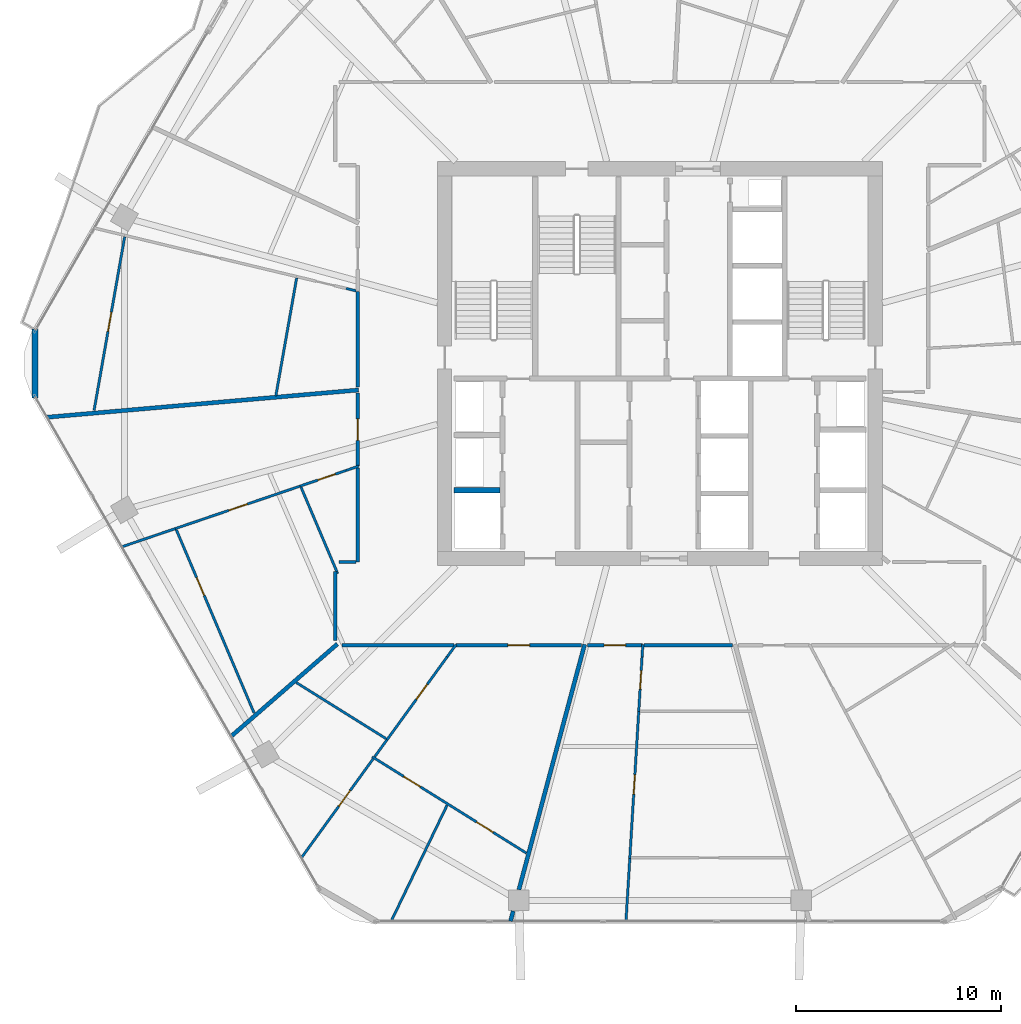
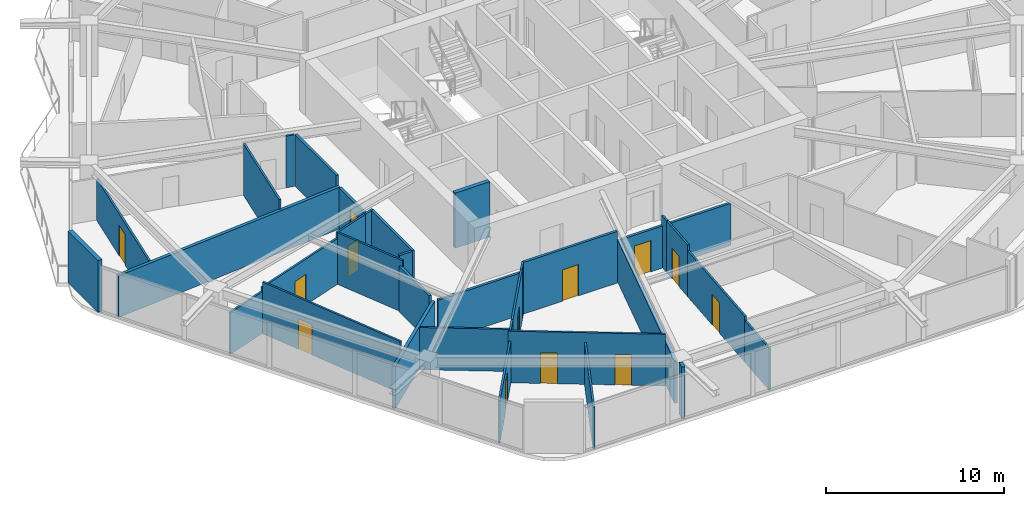
# One storey, part 17 of 26: 35 walls, 13 doors, 13 openings.
"""IFC4 building model written with IfcOpenShell, lengths in metres."""

import ifcopenshell
import ifcopenshell.guid

model = None  # the IFC model being written
_history = None  # IfcOwnerHistory: only IFC2X3 demands one
_inside = {}  # id of a spatial element -> (the spatial element, [elements in it])
_under = {}  # id of a project, library or spatial element -> (it, [spatial elements below it])
_declared = {}  # id of a project -> (the project, [libraries it declares])
_typed = {}  # id of a type object -> (the type object, [elements of that type])
_made_of = {}  # id of a material, layer set ... -> (it, [elements and type objects made of it])


def new_model(schema):
    """Start an empty IFC model of exactly this schema.

    Asked for "IFC4X3", IfcOpenShell would pick the latest addendum, in which some entities
    have other attributes; the version numbers below select the first issue.
    IFC2X3 requires an IfcOwnerHistory on every rooted entity: one is made here for all.
    """
    global model, _history
    if schema == "IFC4X3":
        model = ifcopenshell.file(schema_version=(4, 3, 0, 0))
    else:
        model = ifcopenshell.file(schema=schema)
    _inside.clear()
    _under.clear()
    _declared.clear()
    _typed.clear()
    _made_of.clear()
    _history = None
    if model.schema == "IFC2X3":
        org = make("IfcOrganization", Name="unknown")
        user = make(
            "IfcPersonAndOrganization",
            ThePerson=make("IfcPerson", FamilyName="unknown"),
            TheOrganization=org,
        )
        app = make(
            "IfcApplication",
            ApplicationDeveloper=org,
            Version="unknown",
            ApplicationFullName="unknown",
            ApplicationIdentifier="unknown",
        )
        _history = make(
            "IfcOwnerHistory",
            OwningUser=user,
            OwningApplication=app,
            ChangeAction="ADDED",
            CreationDate=0,
        )
    return model


def make(cls, **values):
    """One entity of the class cls with the attributes given. An attribute that is None is left unset."""
    return model.create_entity(
        cls, **{name: value for name, value in values.items() if value is not None}
    )


def rooted(cls, **values):
    """An entity with a GlobalId (a new one), such as an element, a storey or a relation."""
    return make(cls, GlobalId=ifcopenshell.guid.new(), OwnerHistory=_history, **values)


def si_unit(unit_type, name, prefix=None):
    """IfcSIUnit, for example si_unit("LENGTHUNIT", "METRE", prefix="MILLI")."""
    return make("IfcSIUnit", UnitType=unit_type, Prefix=prefix, Name=name)


def assignment(units):
    """IfcUnitAssignment: the units of a project."""
    return None if units is None else make("IfcUnitAssignment", Units=units)


def point(xyz):
    """IfcCartesianPoint."""
    return None if xyz is None else make("IfcCartesianPoint", Coordinates=xyz)


def direction(xyz):
    """IfcDirection."""
    return None if xyz is None else make("IfcDirection", DirectionRatios=xyz)


def frame(location, z_axis=None, x_axis=None):
    """IfcAxis2Placement3D, a coordinate frame: its origin and axes. An axis left out is left unset."""
    return make(
        "IfcAxis2Placement3D",
        Location=point(location),
        Axis=direction(z_axis),
        RefDirection=direction(x_axis),
    )


def frame_2d(location, x_axis=None):
    """IfcAxis2Placement2D, a coordinate frame in the plane: its origin and x axis."""
    return make(
        "IfcAxis2Placement2D", Location=point(location), RefDirection=direction(x_axis)
    )


def origin():
    """The frame at (0, 0, 0) with its axes left unset."""
    return frame((0.0, 0.0, 0.0))


def place(relative_to, where):
    """IfcLocalPlacement: puts the frame where relative to a parent placement (None: the world)."""
    return make(
        "IfcLocalPlacement", PlacementRelTo=relative_to, RelativePlacement=where
    )


def context(
    kind, dimensions, precision=None, world=None, true_north=None, identifier=None
):
    """IfcGeometricRepresentationContext, for example the 3D "Model" context."""
    return make(
        "IfcGeometricRepresentationContext",
        ContextIdentifier=identifier,
        ContextType=kind,
        CoordinateSpaceDimension=dimensions,
        Precision=precision,
        WorldCoordinateSystem=world,
        TrueNorth=true_north,
    )


def subcontext(parent, identifier, kind, view, scale=None):
    """IfcGeometricRepresentationSubContext, for example "Body" below "Model"."""
    return make(
        "IfcGeometricRepresentationSubContext",
        ContextIdentifier=identifier,
        ContextType=kind,
        ParentContext=parent,
        TargetScale=scale,
        TargetView=view,
    )


def project(units=None, contexts=None):
    """IfcProject with its units and contexts."""
    return rooted(
        "IfcProject",
        Name="project",
        RepresentationContexts=contexts,
        UnitsInContext=assignment(units),
    )


def spatial(cls, under=None, at=None, **own):
    """A site, building, storey or space (cls), placed at a placement, below another one or the project."""
    s = rooted(cls, ObjectPlacement=at, **own)
    if under is not None:
        _under.setdefault(under.id(), (under, []))[1].append(s)
    return s


def profile(cls, at=None, kind="AREA", **sizes):
    """A parametric profile (cls). Its sizes go by their IFC names, for example OverallWidth=200.0."""
    return make(cls, ProfileType=kind, Position=at, **sizes)


def rectangle(**sizes):
    """IfcRectangleProfileDef."""
    return profile("IfcRectangleProfileDef", **sizes)


def extrude(swept, where, along, depth):
    """IfcExtrudedAreaSolid: the profile swept, set in the frame where, extruded along a direction by depth."""
    return make(
        "IfcExtrudedAreaSolid",
        SweptArea=swept,
        Position=where,
        ExtrudedDirection=direction(along),
        Depth=depth,
    )


def shape(context_of_items, identifier, shape_type, items):
    """IfcShapeRepresentation: the items that make up one representation, for example the "Body"."""
    return make(
        "IfcShapeRepresentation",
        ContextOfItems=context_of_items,
        RepresentationIdentifier=identifier,
        RepresentationType=shape_type,
        Items=items,
    )


def material(Name=None, Category=None):
    """IfcMaterial."""
    return make("IfcMaterial", Name=Name, Category=Category)


def layer(
    of_material, thickness, ventilated=None, Name=None, Category=None, Priority=None
):
    """IfcMaterialLayer: one layer of a wall or slab, of a material (None: an air gap)."""
    return make(
        "IfcMaterialLayer",
        Material=of_material,
        LayerThickness=thickness,
        IsVentilated=ventilated,
        Name=Name,
        Category=Category,
        Priority=Priority,
    )


def layer_set(layers, Name=None):
    """IfcMaterialLayerSet."""
    return make("IfcMaterialLayerSet", MaterialLayers=layers, LayerSetName=Name)


def made_of(thing, what):
    """Note that an element or type object is made of a material, layer set ...; save() writes the relation."""
    if what is not None:
        _made_of.setdefault(what.id(), (what, []))[1].append(thing)
    return thing


def type_object(cls, material=None, **own):
    """A type object (cls), such as IfcWallType, which elements share."""
    return made_of(rooted(cls, **own), material)


def element(
    cls,
    number,
    at=None,
    inside=None,
    cuts=None,
    type_object=None,
    material=None,
    context=None,
    identifier="Body",
    shape_type=None,
    held_by="IfcProductDefinitionShape",
    body=None,
    shapes=None,
    **own,
):
    """One element of the class cls, such as IfcWall. Its Tag is "e" and its number.

    at: its placement. inside: the storey or other place that contains it. cuts: it is an
    opening in that element (IfcRelVoidsElement). A single representation is given by context,
    identifier, shape_type and body (its items); several are given by shapes. held_by: the class
    of the entity that holds the representations. save() writes the other relations.
    """
    e = rooted(cls, Tag="e%d" % number, ObjectPlacement=at, **own)
    if body is not None:
        shapes = [shape(context, identifier, shape_type, body)]
    if shapes is not None:
        e.Representation = make(held_by, Representations=shapes)
    if inside is not None:
        _inside.setdefault(inside.id(), (inside, []))[1].append(e)
    if cuts is not None:
        rooted(
            "IfcRelVoidsElement", RelatingBuildingElement=cuts, RelatedOpeningElement=e
        )
    if type_object is not None:
        _typed.setdefault(type_object.id(), (type_object, []))[1].append(e)
    return made_of(e, material)


def fill(opening, filler):
    """IfcRelFillsElement: the door or window that sits in an opening."""
    return rooted(
        "IfcRelFillsElement",
        RelatingOpeningElement=opening,
        RelatedBuildingElement=filler,
    )


def aggregate(whole, parts):
    """IfcRelAggregates: a whole, such as a stair, and the parts it consists of."""
    return rooted("IfcRelAggregates", RelatingObject=whole, RelatedObjects=parts)


def save(model, path):
    """Write the relations noted so far, then the file.

    IfcRelAggregates (storeys below a building ...), IfcRelContainedInSpatialStructure (elements
    in a storey), IfcRelDefinesByType, IfcRelAssociatesMaterial and IfcRelDeclares: one each for
    every whole, place, type object, material and project.
    """
    for whole, parts in _under.values():
        aggregate(whole, parts)
    for where, things in _inside.values():
        rooted(
            "IfcRelContainedInSpatialStructure",
            RelatedElements=things,
            RelatingStructure=where,
        )
    for kind, things in _typed.values():
        rooted("IfcRelDefinesByType", RelatedObjects=things, RelatingType=kind)
    for what, things in _made_of.values():
        rooted("IfcRelAssociatesMaterial", RelatedObjects=things, RelatingMaterial=what)
    for by, libraries in _declared.values():
        rooted("IfcRelDeclares", RelatingContext=by, RelatedDefinitions=libraries)
    model.write(path)


model = new_model("IFC4")

# Units and contexts
model_context = context("Model", 3, precision=1e-05, world=origin(), true_north=direction((0.0, 1.0)))
body_context = subcontext(model_context, "Body", "Model", "MODEL_VIEW")
ifc_project = project(units=[si_unit("LENGTHUNIT", "METRE"), si_unit("AREAUNIT", "SQUARE_METRE"), si_unit("VOLUMEUNIT", "CUBIC_METRE"), si_unit("PLANEANGLEUNIT", "RADIAN"), si_unit("MASSUNIT", "GRAM", prefix="KILO")], contexts=[model_context])

# Site, building, storey
site_placement = place(None, origin())
site = spatial("IfcSite", under=ifc_project, at=site_placement, CompositionType="ELEMENT")
building_placement = place(site_placement, origin())
building = spatial("IfcBuilding", under=site, at=building_placement, Name="Zuhravey Tower", CompositionType="ELEMENT")
storey_placement = place(building_placement, frame((0.0, 0.0, 165.60009765625)))
storey = spatial("IfcBuildingStorey", under=building, at=storey_placement, Name="L41", CompositionType="ELEMENT", Elevation=165.60009765625)

# Wall, opening, door
ifc_material_1 = material(Name="Gypsum fire-rated stud partition")
ifc_layer_1 = layer(ifc_material_1, 0.159912109375)
ifc_layer_set_1 = layer_set([ifc_layer_1], Name="Gypsum fire-rated stud partition")
wall_type_1 = type_object("IfcWallType", Name="Corridor Fire Partition 160", PredefinedType="PARTITIONING", material=ifc_layer_set_1)
wall_1_placement = place(storey_placement, frame((21.27001953125, 30.5615234375, 0.0), z_axis=(0.0, 0.0, 1.0), x_axis=(0.0, -1.0, 0.0)))
wall_1 = element("IfcWall", 1, at=wall_1_placement, inside=storey, type_object=wall_type_1, Name="L41 IW16 Partition 045", PredefinedType="PARTITIONING", context=body_context, shape_type="SweptSolid", body=[
    extrude(rectangle(XDim=3.554931640625, YDim=0.159912109375, at=frame_2d((1.77734375, 0.0))), origin(), (0.0, 0.0, 1.0), 2.89990234375),
])
opening_1_placement = place(wall_1_placement, frame((1.25244140625, 0.0, 0.0)))
opening_1 = element("IfcOpeningElement", 2, at=opening_1_placement, cuts=wall_1, Name="Opening APD1", PredefinedType="OPENING", context=body_context, shape_type="SweptSolid", body=[
    extrude(rectangle(XDim=1.050048828125, YDim=2.14990234375, at=frame_2d((0.52490234375, 1.074951171875))), frame((0.0, 0.092041015625, 0.0), z_axis=(0.0, -1.0, 0.0), x_axis=(1.0, 0.0, 0.0)), (0.0, 0.0, 1.0), 0.183837890625),
])
ifc_material_2 = material(Name="Solid-core oak fire-rated leaf")
door_type_1 = type_object("IfcDoorType", Name="Apartment Entrance Fire Door 1050x2150", OperationType="NOTDEFINED", PredefinedType="DOOR", material=ifc_material_2)
door_1_placement = place(opening_1_placement, frame((1.050048828125, 0.0, 0.0), z_axis=(0.0, 0.0, 1.0), x_axis=(-1.0, 0.0, 0.0)))
door_1 = element("IfcDoor", 3, at=door_1_placement, inside=storey, type_object=door_type_1, Name="L41 Door 045.1", OperationType="SINGLE_SWING_RIGHT", OverallHeight=2.14990234375, OverallWidth=1.050048828125, PredefinedType="DOOR", context=body_context, shape_type="SweptSolid", body=[
    extrude(rectangle(XDim=1.050048828125, YDim=2.14990234375, at=frame_2d((0.52490234375, 1.074951171875))), frame((0.0, 0.02490234375, 0.0), z_axis=(0.0, -1.0, 0.0), x_axis=(1.0, 0.0, 0.0)), (0.0, 0.0, 1.0), 0.050048828125),
])
fill(opening_1, door_1)

wall_2_placement = place(storey_placement, frame((26.06396484375, 18.27001953125, 0.0), z_axis=(0.0, 0.0, 1.0), x_axis=(1.0, 0.0, 0.0)))
wall_2 = element("IfcWall", 4, at=wall_2_placement, inside=storey, type_object=wall_type_1, Name="L41 IW16 Partition 050", PredefinedType="PARTITIONING", context=body_context, shape_type="SweptSolid", body=[
    extrude(rectangle(XDim=6.107666015625, YDim=0.159912109375, at=frame_2d((3.0537109375, 0.0))), origin(), (0.0, 0.0, 1.0), 3.5498046875),
])
opening_2_placement = place(wall_2_placement, frame((2.52880859375, 0.0, 0.0)))
opening_2 = element("IfcOpeningElement", 5, at=opening_2_placement, cuts=wall_2, Name="Opening APD1", PredefinedType="OPENING", context=body_context, shape_type="SweptSolid", body=[
    extrude(rectangle(XDim=1.050048828125, YDim=2.14990234375, at=frame_2d((0.52490234375, 1.074951171875))), frame((0.0, 0.092041015625, 0.0), z_axis=(0.0, -1.0, 0.0), x_axis=(1.0, 0.0, 0.0)), (0.0, 0.0, 1.0), 0.183837890625),
])
door_2_placement = place(opening_2_placement, frame((1.050048828125, 0.0, 0.0), z_axis=(0.0, 0.0, 1.0), x_axis=(-1.0, 0.0, 0.0)))
door_2 = element("IfcDoor", 6, at=door_2_placement, inside=storey, type_object=door_type_1, Name="L41 Door 050.1", OperationType="SINGLE_SWING_LEFT", OverallHeight=2.14990234375, OverallWidth=1.050048828125, PredefinedType="DOOR", context=body_context, shape_type="SweptSolid", body=[
    extrude(rectangle(XDim=1.050048828125, YDim=2.14990234375, at=frame_2d((0.52490234375, 1.074951171875))), frame((0.0, 0.02490234375, 0.0), z_axis=(0.0, -1.0, 0.0), x_axis=(1.0, 0.0, 0.0)), (0.0, 0.0, 1.0), 0.050048828125),
])
fill(opening_2, door_2)

wall_3_placement = place(storey_placement, frame((32.4697265625, 18.27001953125, 0.0), z_axis=(0.0, 0.0, 1.0), x_axis=(1.0, 0.0, 0.0)))
wall_3 = element("IfcWall", 7, at=wall_3_placement, inside=storey, type_object=wall_type_1, Name="L41 IW16 Partition 054", PredefinedType="PARTITIONING", context=body_context, shape_type="SweptSolid", body=[
    extrude(rectangle(XDim=2.67529296875, YDim=0.159912109375, at=frame_2d((1.337646484375, 0.0))), origin(), (0.0, 0.0, 1.0), 2.89990234375),
])
opening_3_placement = place(wall_3_placement, frame((0.8125, 0.0, 0.0)))
opening_3 = element("IfcOpeningElement", 8, at=opening_3_placement, cuts=wall_3, Name="Opening APD1", PredefinedType="OPENING", context=body_context, shape_type="SweptSolid", body=[
    extrude(rectangle(XDim=1.050048828125, YDim=2.14990234375, at=frame_2d((0.52490234375, 1.074951171875))), frame((0.0, 0.092041015625, 0.0), z_axis=(0.0, -1.0, 0.0), x_axis=(1.0, 0.0, 0.0)), (0.0, 0.0, 1.0), 0.183837890625),
])
door_3_placement = place(opening_3_placement, frame((1.050048828125, 0.0, 0.0), z_axis=(0.0, 0.0, 1.0), x_axis=(-1.0, 0.0, 0.0)))
door_3 = element("IfcDoor", 9, at=door_3_placement, inside=storey, type_object=door_type_1, Name="L41 Door 054.1", OperationType="SINGLE_SWING_LEFT", OverallHeight=2.14990234375, OverallWidth=1.050048828125, PredefinedType="DOOR", context=body_context, shape_type="SweptSolid", body=[
    extrude(rectangle(XDim=1.050048828125, YDim=2.14990234375, at=frame_2d((0.52490234375, 1.074951171875))), frame((0.0, 0.02490234375, 0.0), z_axis=(0.0, -1.0, 0.0), x_axis=(1.0, 0.0, 0.0)), (0.0, 0.0, 1.0), 0.050048828125),
])
fill(opening_3, door_3)

# Walls
wall_4_placement = place(storey_placement, frame((21.27001953125, 35.510498046875, 0.0), z_axis=(0.0, 0.0, 1.0), x_axis=(0.0, -1.0, 0.0)))
element("IfcWall", 10, at=wall_4_placement, inside=storey, type_object=wall_type_1, Name="L41 IW16 Partition 133", PredefinedType="PARTITIONING", context=body_context, shape_type="SweptSolid", body=[
    extrude(rectangle(XDim=4.649658203125, YDim=0.159912109375, at=frame_2d((2.32470703125, 0.0))), origin(), (0.0, 0.0, 1.0), 3.5498046875),
])
wall_5_placement = place(storey_placement, frame((21.27001953125, 26.913818359375, 0.0), z_axis=(0.0, 0.0, 1.0), x_axis=(0.0, -1.0, 0.0)))
element("IfcWall", 11, at=wall_5_placement, inside=storey, type_object=wall_type_1, Name="L41 IW16 Partition 134", PredefinedType="PARTITIONING", context=body_context, shape_type="SweptSolid", body=[
    extrude(rectangle(XDim=4.583740234375, YDim=0.159912109375, at=frame_2d((2.2919921875, 0.0))), origin(), (0.0, 0.0, 1.0), 3.5498046875),
])
wall_6_placement = place(storey_placement, frame((21.181884765625, 22.330078125, 0.0), z_axis=(0.0, 0.0, 1.0), x_axis=(-1.0, 0.0, 0.0)))
element("IfcWall", 12, at=wall_6_placement, inside=storey, type_object=wall_type_1, Name="L41 IW16 Partition 135", PredefinedType="PARTITIONING", context=body_context, shape_type="SweptSolid", body=[
    extrude(rectangle(XDim=0.831787109375, YDim=0.159912109375, at=frame_2d((0.416015625, 0.0))), origin(), (0.0, 0.0, 1.0), 3.5498046875),
])
wall_7_placement = place(storey_placement, frame((20.169921875, 21.87060546875, 0.0), z_axis=(0.0, 0.0, 1.0), x_axis=(0.0, -1.0, 0.0)))
element("IfcWall", 13, at=wall_7_placement, inside=storey, type_object=wall_type_1, Name="L41 IW16 Partition 136", PredefinedType="PARTITIONING", context=body_context, shape_type="SweptSolid", body=[
    extrude(rectangle(XDim=3.364501953125, YDim=0.159912109375, at=frame_2d((1.68212890625, 0.0))), origin(), (0.0, 0.0, 1.0), 3.14990234375),
])
wall_8_placement = place(storey_placement, frame((20.51123046875, 18.27001953125, 0.0), z_axis=(0.0, 0.0, 1.0), x_axis=(1.0, 0.0, 0.0)))
element("IfcWall", 14, at=wall_8_placement, inside=storey, type_object=wall_type_1, Name="L41 IW16 Partition 137", PredefinedType="PARTITIONING", context=body_context, shape_type="SweptSolid", body=[
    extrude(rectangle(XDim=5.44384765625, YDim=0.159912109375, at=frame_2d((2.721923828125, 0.0))), origin(), (0.0, 0.0, 1.0), 2.89990234375),
])
wall_9_placement = place(storey_placement, frame((35.233154296875, 18.27001953125, 0.0), z_axis=(0.0, 0.0, 1.0), x_axis=(1.0, 0.0, 0.0)))
element("IfcWall", 15, at=wall_9_placement, inside=storey, type_object=wall_type_1, Name="L41 IW16 Partition 138", PredefinedType="PARTITIONING", context=body_context, shape_type="SweptSolid", body=[
    extrude(rectangle(XDim=4.297119140625, YDim=0.159912109375, at=frame_2d((2.1484375, 0.0))), origin(), (0.0, 0.0, 1.0), 2.89990234375),
])
ifc_material_3 = material(Name="Precast concrete C40/50", Category="concrete")
ifc_layer_2 = layer(ifc_material_3, 0.280029296875)
ifc_layer_set_2 = layer_set([ifc_layer_2], Name="Precast concrete C40/50")
wall_type_2 = type_object("IfcWallType", Name="Crown Architectural Wall 280", PredefinedType="SOLIDWALL", material=ifc_layer_set_2)
wall_10_placement = place(storey_placement, frame((5.5283203125, 30.3173828125, 0.0), z_axis=(0.0, 0.0, 1.0), x_axis=(0.0, 1.0, 0.0)))
element("IfcWall", 16, at=wall_10_placement, inside=storey, type_object=wall_type_2, Name="L41 Rounded Corner Closure Wall EW28-06", PredefinedType="SOLIDWALL", context=body_context, shape_type="SweptSolid", body=[
    extrude(rectangle(XDim=3.365234375, YDim=0.280029296875, at=frame_2d((1.6826171875, 0.0))), origin(), (0.0, 0.0, 1.0), 3.5498046875),
])
ifc_material_4 = material(Name="Concrete C50/60", Category="concrete")
ifc_layer_3 = layer(ifc_material_4, 0.25)
ifc_layer_set_3 = layer_set([ifc_layer_3], Name="Concrete C50/60")
wall_type_3 = type_object("IfcWallType", Name="Firefighting Shaft & Stair Wall 250", PredefinedType="SOLIDWALL", material=ifc_layer_set_3)
wall_11_placement = place(storey_placement, frame((25.949951171875, 25.824951171875, 0.0), z_axis=(0.0, 0.0, 1.0), x_axis=(1.0, 0.0, 0.0)))
element("IfcWall", 17, at=wall_11_placement, inside=storey, type_object=wall_type_3, Name="L41 FW25 Shaft Wall 009", PredefinedType="SOLIDWALL", context=body_context, shape_type="SweptSolid", body=[
    extrude(rectangle(XDim=2.25, YDim=0.25, at=frame_2d((1.125, 0.0))), origin(), (0.0, 0.0, 1.0), 3.7998046875),
])
ifc_material_5 = material(Name="Gypsum double-stud party assembly")
ifc_layer_4 = layer(ifc_material_5, 0.199951171875)
ifc_layer_set_4 = layer_set([ifc_layer_4], Name="Gypsum double-stud party assembly")
wall_type_4 = type_object("IfcWallType", Name="Inter-Tenancy Party Wall 200", PredefinedType="PARTITIONING", material=ifc_layer_set_4)
wall_12_placement = place(storey_placement, frame((21.31005859375, 30.71484375, 0.0), z_axis=(0.0, 0.0, 1.0), x_axis=(-0.996194847126, -0.087154039266, 0.0)))
element("IfcWall", 18, at=wall_12_placement, inside=storey, type_object=wall_type_4, Name="L41 IW20 Partition 096", PredefinedType="PARTITIONING", context=body_context, shape_type="SweptSolid", body=[
    extrude(rectangle(XDim=15.247314453125, YDim=0.199951171875, at=frame_2d((7.62353515625, 0.0))), origin(), (0.0, 0.0, 1.0), 2.869873046875),
])
wall_13_placement = place(storey_placement, frame((20.27587890625, 18.331298828125, 0.0), z_axis=(0.0, 0.0, 1.0), x_axis=(-0.754712052901, -0.656056184489, 0.0)))
element("IfcWall", 19, at=wall_13_placement, inside=storey, type_object=wall_type_4, Name="L41 IW20 Partition 100", PredefinedType="PARTITIONING", context=body_context, shape_type="SweptSolid", body=[
    extrude(rectangle(XDim=6.857421875, YDim=0.199951171875, at=frame_2d((3.4287109375, 0.0))), origin(), (0.0, 0.0, 1.0), 2.869873046875),
])
wall_14_placement = place(storey_placement, frame((32.331787109375, 18.31005859375, 0.0), z_axis=(0.0, 0.0, 1.0), x_axis=(-0.258823121138, -0.96592473411, 0.0)))
element("IfcWall", 20, at=wall_14_placement, inside=storey, type_object=wall_type_4, Name="L41 IW20 Partition 104", PredefinedType="PARTITIONING", context=body_context, shape_type="SweptSolid", body=[
    extrude(rectangle(XDim=12.38525390625, YDim=0.199951171875, at=frame_2d((6.192626953125, 0.0))), origin(), (0.0, 0.0, 1.0), 2.89990234375),
])
wall_15_placement = place(storey_placement, frame((28.84765625, 5.306884765625, 0.0), z_axis=(0.0, 0.0, 1.0), x_axis=(-0.258920510492, -0.965898633008, 0.0)))
element("IfcWall", 21, at=wall_15_placement, inside=storey, type_object=wall_type_4, Name="L41 IW20 Partition 105", PredefinedType="PARTITIONING", context=body_context, shape_type="SweptSolid", body=[
    extrude(rectangle(XDim=0.50732421875, YDim=0.199951171875, at=frame_2d((0.253662109375, 0.0))), origin(), (0.0, 0.0, 1.0), 3.5498046875),
])

# Wall, opening, door
ifc_material_6 = material(Name="Gypsum metal-stud partition")
ifc_layer_5 = layer(ifc_material_6, 0.1201171875)
ifc_layer_set_5 = layer_set([ifc_layer_5], Name="Gypsum metal-stud partition")
wall_type_5 = type_object("IfcWallType", Name="Unit Internal Partition 120", PredefinedType="PARTITIONING", material=ifc_layer_set_5)
wall_16_placement = place(storey_placement, frame((9.903564453125, 38.185791015625, 0.0), z_axis=(0.0, 0.0, 1.0), x_axis=(-0.173644236595, -0.984808447921, 0.0)))
wall_16 = element("IfcWall", 22, at=wall_16_placement, inside=storey, type_object=wall_type_5, Name="L41 IW12 Partition 040", PredefinedType="PARTITIONING", context=body_context, shape_type="SweptSolid", body=[
    extrude(rectangle(XDim=8.587646484375, YDim=0.1201171875, at=frame_2d((4.2939453125, 0.0))), origin(), (0.0, 0.0, 1.0), 2.869873046875),
])
opening_4_placement = place(wall_16_placement, frame((3.734619140625, 0.0, 0.0)))
opening_4 = element("IfcOpeningElement", 23, at=opening_4_placement, cuts=wall_16, Name="Opening IND1", PredefinedType="OPENING", context=body_context, shape_type="SweptSolid", body=[
    extrude(rectangle(XDim=0.949951171875, YDim=2.10009765625, at=frame_2d((0.47509765625, 1.050048828125))), frame((0.0, 0.072021484375, 0.0), z_axis=(0.0, -1.0, 0.0), x_axis=(1.0, 0.0, 0.0)), (0.0, 0.0, 1.0), 0.14404296875),
])
ifc_material_7 = material(Name="Painted engineered timber leaf", Category="wood")
door_type_2 = type_object("IfcDoorType", Name="Internal Room & Bedroom Door 950x2100", OperationType="NOTDEFINED", PredefinedType="DOOR", material=ifc_material_7)
door_4_placement = place(opening_4_placement, frame((0.949951171875, 0.0, 0.0), z_axis=(0.0, 0.0, 1.0), x_axis=(-1.0, 0.0, 0.0)))
door_4 = element("IfcDoor", 24, at=door_4_placement, inside=storey, type_object=door_type_2, Name="Apartment L41-05 Kitchen Door", OperationType="SINGLE_SWING_LEFT", OverallHeight=2.10009765625, OverallWidth=0.949951171875, PredefinedType="DOOR", context=body_context, shape_type="SweptSolid", body=[
    extrude(rectangle(XDim=0.949951171875, YDim=2.10009765625, at=frame_2d((0.47509765625, 1.050048828125))), frame((0.0, 0.02490234375, 0.0), z_axis=(0.0, -1.0, 0.0), x_axis=(1.0, 0.0, 0.0)), (0.0, 0.0, 1.0), 0.050048828125),
])
fill(opening_4, door_4)

wall_17_placement = place(storey_placement, frame((20.699951171875, 26.79150390625, 0.0), z_axis=(0.0, 0.0, 1.0), x_axis=(-0.946637890064, -0.322299092608, 0.0)))
wall_17 = element("IfcWall", 25, at=wall_17_placement, inside=storey, type_object=wall_type_5, Name="L41 IW12 Partition 042", PredefinedType="PARTITIONING", context=body_context, shape_type="SweptSolid", body=[
    extrude(rectangle(XDim=2.3740234375, YDim=0.1201171875, at=frame_2d((1.18701171875, 0.0))), origin(), (0.0, 0.0, 1.0), 3.5498046875),
])
opening_5_placement = place(wall_17_placement, frame((0.547119140625, 0.0, 0.0)))
opening_5 = element("IfcOpeningElement", 26, at=opening_5_placement, cuts=wall_17, Name="Opening WCD1", PredefinedType="OPENING", context=body_context, shape_type="SweptSolid", body=[
    extrude(rectangle(XDim=0.89990234375, YDim=2.10009765625, at=frame_2d((0.449951171875, 1.050048828125))), frame((0.0, 0.072021484375, 0.0), z_axis=(0.0, -1.0, 0.0), x_axis=(1.0, 0.0, 0.0)), (0.0, 0.0, 1.0), 0.14404296875),
])
ifc_material_8 = material(Name="Moisture-resistant timber leaf", Category="wood")
door_type_3 = type_object("IfcDoorType", Name="Bathroom & WC Internal Door 900x2100", OperationType="NOTDEFINED", PredefinedType="DOOR", material=ifc_material_8)
door_5_placement = place(opening_5_placement, origin())
door_5 = element("IfcDoor", 27, at=door_5_placement, inside=storey, type_object=door_type_3, Name="Apartment L41-06 Bathroom Door", OperationType="SINGLE_SWING_LEFT", OverallHeight=2.10009765625, OverallWidth=0.89990234375, PredefinedType="DOOR", context=body_context, shape_type="SweptSolid", body=[
    extrude(rectangle(XDim=0.89990234375, YDim=2.10009765625, at=frame_2d((0.449951171875, 1.050048828125))), frame((0.0, 0.02490234375, 0.0), z_axis=(0.0, -1.0, 0.0), x_axis=(1.0, 0.0, 0.0)), (0.0, 0.0, 1.0), 0.050048828125),
])
fill(opening_5, door_5)

wall_18_placement = place(storey_placement, frame((18.45263671875, 26.026611328125, 0.0), z_axis=(0.0, 0.0, 1.0), x_axis=(-0.946642506906, -0.322285531973, 0.0)))
wall_18 = element("IfcWall", 28, at=wall_18_placement, inside=storey, type_object=wall_type_5, Name="L41 IW12 Partition 043", PredefinedType="PARTITIONING", context=body_context, shape_type="SweptSolid", body=[
    extrude(rectangle(XDim=6.42529296875, YDim=0.1201171875, at=frame_2d((3.212646484375, 0.0))), origin(), (0.0, 0.0, 1.0), 3.14990234375),
])
opening_6_placement = place(wall_18_placement, frame((2.712646484375, 0.0, 0.0)))
opening_6 = element("IfcOpeningElement", 29, at=opening_6_placement, cuts=wall_18, Name="Opening IND1", PredefinedType="OPENING", context=body_context, shape_type="SweptSolid", body=[
    extrude(rectangle(XDim=0.949951171875, YDim=2.10009765625, at=frame_2d((0.47509765625, 1.050048828125))), frame((0.0, 0.072021484375, 0.0), z_axis=(0.0, -1.0, 0.0), x_axis=(1.0, 0.0, 0.0)), (0.0, 0.0, 1.0), 0.14404296875),
])
door_6_placement = place(opening_6_placement, origin())
door_6 = element("IfcDoor", 30, at=door_6_placement, inside=storey, type_object=door_type_2, Name="Apartment L41-06 Home Office Door", OperationType="SINGLE_SWING_RIGHT", OverallHeight=2.10009765625, OverallWidth=0.949951171875, PredefinedType="DOOR", context=body_context, shape_type="SweptSolid", body=[
    extrude(rectangle(XDim=0.949951171875, YDim=2.10009765625, at=frame_2d((0.47509765625, 1.050048828125))), frame((0.0, 0.02490234375, 0.0), z_axis=(0.0, -1.0, 0.0), x_axis=(1.0, 0.0, 0.0)), (0.0, 0.0, 1.0), 0.050048828125),
])
fill(opening_6, door_6)

wall_19_placement = place(storey_placement, frame((12.42041015625, 23.90087890625, 0.0), z_axis=(0.0, 0.0, 1.0), x_axis=(0.390728803852, -0.920505840199, 0.0)))
wall_19 = element("IfcWall", 31, at=wall_19_placement, inside=storey, type_object=wall_type_5, Name="L41 IW12 Partition 044", PredefinedType="PARTITIONING", context=body_context, shape_type="SweptSolid", body=[
    extrude(rectangle(XDim=9.704345703125, YDim=0.1201171875, at=frame_2d((4.85205078125, 0.0))), origin(), (0.0, 0.0, 1.0), 3.5498046875),
])
opening_7_placement = place(wall_19_placement, frame((2.532958984375, 0.0, 0.0)))
opening_7 = element("IfcOpeningElement", 32, at=opening_7_placement, cuts=wall_19, Name="Opening IND1", PredefinedType="OPENING", context=body_context, shape_type="SweptSolid", body=[
    extrude(rectangle(XDim=0.949951171875, YDim=2.10009765625, at=frame_2d((0.47509765625, 1.050048828125))), frame((0.0, 0.072021484375, 0.0), z_axis=(0.0, -1.0, 0.0), x_axis=(1.0, 0.0, 0.0)), (0.0, 0.0, 1.0), 0.14404296875),
])
door_7_placement = place(opening_7_placement, frame((0.949951171875, 0.0, 0.0), z_axis=(0.0, 0.0, 1.0), x_axis=(-1.0, 0.0, 0.0)))
door_7 = element("IfcDoor", 33, at=door_7_placement, inside=storey, type_object=door_type_2, Name="Apartment L41-06 Bedroom 1 Door", OperationType="SINGLE_SWING_LEFT", OverallHeight=2.10009765625, OverallWidth=0.949951171875, PredefinedType="DOOR", context=body_context, shape_type="SweptSolid", body=[
    extrude(rectangle(XDim=0.949951171875, YDim=2.10009765625, at=frame_2d((0.47509765625, 1.050048828125))), frame((0.0, 0.02490234375, 0.0), z_axis=(0.0, -1.0, 0.0), x_axis=(1.0, 0.0, 0.0)), (0.0, 0.0, 1.0), 0.050048828125),
])
fill(opening_7, door_7)

# Wall, openings, doors
wall_20_placement = place(storey_placement, frame((21.970703125, 12.83251953125, 0.0), z_axis=(0.0, 0.0, 1.0), x_axis=(0.84804473337, -0.529924645779, 0.0)))
wall_20 = element("IfcWall", 34, at=wall_20_placement, inside=storey, type_object=wall_type_5, Name="L41 IW12 Partition 046", PredefinedType="PARTITIONING", context=body_context, shape_type="SweptSolid", body=[
    extrude(rectangle(XDim=8.86181640625, YDim=0.1201171875, at=frame_2d((4.430908203125, 0.0))), origin(), (0.0, 0.0, 1.0), 3.5498046875),
])
opening_8_placement = place(wall_20_placement, frame((1.817138671875, 0.0, 0.0)))
opening_8 = element("IfcOpeningElement", 35, at=opening_8_placement, cuts=wall_20, Name="Opening IND1", PredefinedType="OPENING", context=body_context, shape_type="SweptSolid", body=[
    extrude(rectangle(XDim=0.949951171875, YDim=2.10009765625, at=frame_2d((0.47509765625, 1.050048828125))), frame((0.0, 0.072021484375, 0.0), z_axis=(0.0, -1.0, 0.0), x_axis=(1.0, 0.0, 0.0)), (0.0, 0.0, 1.0), 0.14404296875),
])
opening_9_placement = place(wall_20_placement, frame((6.00732421875, 0.0, 0.0)))
opening_9 = element("IfcOpeningElement", 36, at=opening_9_placement, cuts=wall_20, Name="Opening IND1", PredefinedType="OPENING", context=body_context, shape_type="SweptSolid", body=[
    extrude(rectangle(XDim=0.949951171875, YDim=2.10009765625, at=frame_2d((0.47509765625, 1.050048828125))), frame((0.0, 0.072021484375, 0.0), z_axis=(0.0, -1.0, 0.0), x_axis=(1.0, 0.0, 0.0)), (0.0, 0.0, 1.0), 0.14404296875),
])
door_8_placement = place(opening_8_placement, frame((0.949951171875, 0.0, 0.0), z_axis=(0.0, 0.0, 1.0), x_axis=(-1.0, 0.0, 0.0)))
door_8 = element("IfcDoor", 37, at=door_8_placement, inside=storey, type_object=door_type_2, Name="Apartment L41-07 Family Study Door", OperationType="SINGLE_SWING_LEFT", OverallHeight=2.10009765625, OverallWidth=0.949951171875, PredefinedType="DOOR", context=body_context, shape_type="SweptSolid", body=[
    extrude(rectangle(XDim=0.949951171875, YDim=2.10009765625, at=frame_2d((0.47509765625, 1.050048828125))), frame((0.0, 0.02490234375, 0.0), z_axis=(0.0, -1.0, 0.0), x_axis=(1.0, 0.0, 0.0)), (0.0, 0.0, 1.0), 0.050048828125),
])
fill(opening_8, door_8)
door_9_placement = place(opening_9_placement, frame((0.949951171875, 0.0, 0.0), z_axis=(0.0, 0.0, 1.0), x_axis=(-1.0, 0.0, 0.0)))
door_9 = element("IfcDoor", 38, at=door_9_placement, inside=storey, type_object=door_type_2, Name="Apartment L41-07 Dining Room Door", OperationType="SINGLE_SWING_RIGHT", OverallHeight=2.10009765625, OverallWidth=0.949951171875, PredefinedType="DOOR", context=body_context, shape_type="SweptSolid", body=[
    extrude(rectangle(XDim=0.949951171875, YDim=2.10009765625, at=frame_2d((0.47509765625, 1.050048828125))), frame((0.0, 0.02490234375, 0.0), z_axis=(0.0, -1.0, 0.0), x_axis=(1.0, 0.0, 0.0)), (0.0, 0.0, 1.0), 0.050048828125),
])
fill(opening_9, door_9)

# Wall, opening, door
wall_21_placement = place(storey_placement, frame((25.625732421875, 17.699951171875, 0.0), z_axis=(0.0, 0.0, 1.0), x_axis=(-0.587247080924, -0.809407725406, 0.0)))
wall_21 = element("IfcWall", 39, at=wall_21_placement, inside=storey, type_object=wall_type_5, Name="L41 IW12 Partition 047", PredefinedType="PARTITIONING", context=body_context, shape_type="SweptSolid", body=[
    extrude(rectangle(XDim=4.99462890625, YDim=0.1201171875, at=frame_2d((2.497314453125, 0.0))), origin(), (0.0, 0.0, 1.0), 3.5498046875),
])
opening_10_placement = place(wall_21_placement, frame((1.647705078125, 0.0, 0.0)))
opening_10 = element("IfcOpeningElement", 40, at=opening_10_placement, cuts=wall_21, Name="Opening WCD1", PredefinedType="OPENING", context=body_context, shape_type="SweptSolid", body=[
    extrude(rectangle(XDim=0.89990234375, YDim=2.10009765625, at=frame_2d((0.449951171875, 1.050048828125))), frame((0.0, 0.072021484375, 0.0), z_axis=(0.0, -1.0, 0.0), x_axis=(1.0, 0.0, 0.0)), (0.0, 0.0, 1.0), 0.14404296875),
])
door_10_placement = place(opening_10_placement, frame((0.89990234375, 0.0, 0.0), z_axis=(0.0, 0.0, 1.0), x_axis=(-1.0, 0.0, 0.0)))
door_10 = element("IfcDoor", 41, at=door_10_placement, inside=storey, type_object=door_type_3, Name="Apartment L41-07 Bathroom Door", OperationType="SINGLE_SWING_LEFT", OverallHeight=2.10009765625, OverallWidth=0.89990234375, PredefinedType="DOOR", context=body_context, shape_type="SweptSolid", body=[
    extrude(rectangle(XDim=0.89990234375, YDim=2.10009765625, at=frame_2d((0.449951171875, 1.050048828125))), frame((0.0, 0.02490234375, 0.0), z_axis=(0.0, -1.0, 0.0), x_axis=(1.0, 0.0, 0.0)), (0.0, 0.0, 1.0), 0.050048828125),
])
fill(opening_10, door_10)

# Wall
wall_22_placement = place(storey_placement, frame((22.692626953125, 13.6572265625, 0.0), z_axis=(0.0, 0.0, 1.0), x_axis=(-0.587243042338, -0.809410655493, 0.0)))
element("IfcWall", 42, at=wall_22_placement, inside=storey, type_object=wall_type_5, Name="L41 IW12 Partition 048", PredefinedType="PARTITIONING", context=body_context, shape_type="SweptSolid", body=[
    extrude(rectangle(XDim=1.0166015625, YDim=0.1201171875, at=frame_2d((0.50830078125, 0.0))), origin(), (0.0, 0.0, 1.0), 3.5498046875),
])

# Wall, opening, door
wall_23_placement = place(storey_placement, frame((22.015869140625, 12.72412109375, 0.0), z_axis=(0.0, 0.0, 1.0), x_axis=(-0.587215499047, -0.809430637967, 0.0)))
wall_23 = element("IfcWall", 43, at=wall_23_placement, inside=storey, type_object=wall_type_5, Name="L41 IW12 Partition 049", PredefinedType="PARTITIONING", context=body_context, shape_type="SweptSolid", body=[
    extrude(rectangle(XDim=5.95361328125, YDim=0.1201171875, at=frame_2d((2.976806640625, 0.0))), origin(), (0.0, 0.0, 1.0), 2.869873046875),
])
opening_11_placement = place(wall_23_placement, frame((1.900390625, 0.0, 0.0)))
opening_11 = element("IfcOpeningElement", 44, at=opening_11_placement, cuts=wall_23, Name="Opening IND1", PredefinedType="OPENING", context=body_context, shape_type="SweptSolid", body=[
    extrude(rectangle(XDim=0.949951171875, YDim=2.10009765625, at=frame_2d((0.47509765625, 1.050048828125))), frame((0.0, 0.072021484375, 0.0), z_axis=(0.0, -1.0, 0.0), x_axis=(1.0, 0.0, 0.0)), (0.0, 0.0, 1.0), 0.14404296875),
])
door_11_placement = place(opening_11_placement, frame((0.949951171875, 0.0, 0.0), z_axis=(0.0, 0.0, 1.0), x_axis=(-1.0, 0.0, 0.0)))
door_11 = element("IfcDoor", 45, at=door_11_placement, inside=storey, type_object=door_type_2, Name="Apartment L41-07 Bedroom 1 Door", OperationType="SINGLE_SWING_RIGHT", OverallHeight=2.10009765625, OverallWidth=0.949951171875, PredefinedType="DOOR", context=body_context, shape_type="SweptSolid", body=[
    extrude(rectangle(XDim=0.949951171875, YDim=2.10009765625, at=frame_2d((0.47509765625, 1.050048828125))), frame((0.0, 0.02490234375, 0.0), z_axis=(0.0, -1.0, 0.0), x_axis=(1.0, 0.0, 0.0)), (0.0, 0.0, 1.0), 0.050048828125),
])
fill(opening_11, door_11)

wall_24_placement = place(storey_placement, frame((35.13037109375, 17.699951171875, 0.0), z_axis=(0.0, 0.0, 1.0), x_axis=(-0.060658034447, -0.998158606063, 0.0)))
wall_24 = element("IfcWall", 46, at=wall_24_placement, inside=storey, type_object=wall_type_5, Name="L41 IW12 Partition 051", PredefinedType="PARTITIONING", context=body_context, shape_type="SweptSolid", body=[
    extrude(rectangle(XDim=2.66845703125, YDim=0.1201171875, at=frame_2d((1.334228515625, 0.0))), origin(), (0.0, 0.0, 1.0), 3.5498046875),
])
opening_12_placement = place(wall_24_placement, frame((0.6708984375, 0.0, 0.0)))
opening_12 = element("IfcOpeningElement", 47, at=opening_12_placement, cuts=wall_24, Name="Opening WCD1", PredefinedType="OPENING", context=body_context, shape_type="SweptSolid", body=[
    extrude(rectangle(XDim=0.89990234375, YDim=2.10009765625, at=frame_2d((0.449951171875, 1.050048828125))), frame((0.0, 0.072021484375, 0.0), z_axis=(0.0, -1.0, 0.0), x_axis=(1.0, 0.0, 0.0)), (0.0, 0.0, 1.0), 0.14404296875),
])
door_12_placement = place(opening_12_placement, origin())
door_12 = element("IfcDoor", 48, at=door_12_placement, inside=storey, type_object=door_type_3, Name="Apartment L41-08 Bathroom Door", OperationType="SINGLE_SWING_RIGHT", OverallHeight=2.10009765625, OverallWidth=0.89990234375, PredefinedType="DOOR", context=body_context, shape_type="SweptSolid", body=[
    extrude(rectangle(XDim=0.89990234375, YDim=2.10009765625, at=frame_2d((0.449951171875, 1.050048828125))), frame((0.0, 0.02490234375, 0.0), z_axis=(0.0, -1.0, 0.0), x_axis=(1.0, 0.0, 0.0)), (0.0, 0.0, 1.0), 0.050048828125),
])
fill(opening_12, door_12)

wall_25_placement = place(storey_placement, frame((34.968505859375, 15.036376953125, 0.0), z_axis=(0.0, 0.0, 1.0), x_axis=(-0.060709915427, -0.998155451906, 0.0)))
wall_25 = element("IfcWall", 49, at=wall_25_placement, inside=storey, type_object=wall_type_5, Name="L41 IW12 Partition 052", PredefinedType="PARTITIONING", context=body_context, shape_type="SweptSolid", body=[
    extrude(rectangle(XDim=7.170166015625, YDim=0.1201171875, at=frame_2d((3.5849609375, 0.0))), origin(), (0.0, 0.0, 1.0), 3.14990234375),
])
opening_13_placement = place(wall_25_placement, frame((3.085205078125, 0.0, 0.0)))
opening_13 = element("IfcOpeningElement", 50, at=opening_13_placement, cuts=wall_25, Name="Opening IND1", PredefinedType="OPENING", context=body_context, shape_type="SweptSolid", body=[
    extrude(rectangle(XDim=0.949951171875, YDim=2.10009765625, at=frame_2d((0.47509765625, 1.050048828125))), frame((0.0, 0.072021484375, 0.0), z_axis=(0.0, -1.0, 0.0), x_axis=(1.0, 0.0, 0.0)), (0.0, 0.0, 1.0), 0.14404296875),
])
door_13_placement = place(opening_13_placement, origin())
door_13 = element("IfcDoor", 51, at=door_13_placement, inside=storey, type_object=door_type_2, Name="Apartment L41-08 Home Office Door", OperationType="SINGLE_SWING_LEFT", OverallHeight=2.10009765625, OverallWidth=0.949951171875, PredefinedType="DOOR", context=body_context, shape_type="SweptSolid", body=[
    extrude(rectangle(XDim=0.949951171875, YDim=2.10009765625, at=frame_2d((0.47509765625, 1.050048828125))), frame((0.0, 0.02490234375, 0.0), z_axis=(0.0, -1.0, 0.0), x_axis=(1.0, 0.0, 0.0)), (0.0, 0.0, 1.0), 0.050048828125),
])
fill(opening_13, door_13)

# Walls
wall_26_placement = place(storey_placement, frame((21.181884765625, 35.552001953125, 0.0), z_axis=(0.0, 0.0, 1.0), x_axis=(-0.972472201242, 0.233018921574, 0.0)))
element("IfcWall", 52, at=wall_26_placement, inside=storey, type_object=wall_type_5, Name="L41 IW12 Partition 093", PredefinedType="PARTITIONING", context=body_context, shape_type="SweptSolid", body=[
    extrude(rectangle(XDim=0.49560546875, YDim=0.1201171875, at=frame_2d((0.247802734375, 0.0))), origin(), (0.0, 0.0, 1.0), 3.5498046875),
])
wall_27_placement = place(storey_placement, frame((18.2880859375, 36.17578125, 0.0), z_axis=(0.0, 0.0, 1.0), x_axis=(-0.173654136984, -0.984806702205, 0.0)))
element("IfcWall", 53, at=wall_27_placement, inside=storey, type_object=wall_type_5, Name="L41 IW12 Partition 095", PredefinedType="PARTITIONING", context=body_context, shape_type="SweptSolid", body=[
    extrude(rectangle(XDim=5.838623046875, YDim=0.1201171875, at=frame_2d((2.91943359375, 0.0))), origin(), (0.0, 0.0, 1.0), 3.5498046875),
])
wall_28_placement = place(storey_placement, frame((21.313720703125, 27.00048828125, 0.0), z_axis=(0.0, 0.0, 1.0), x_axis=(-0.946630351542, -0.322321233461, 0.0)))
element("IfcWall", 54, at=wall_28_placement, inside=storey, type_object=wall_type_5, Name="L41 IW12 Partition 097", PredefinedType="PARTITIONING", context=body_context, shape_type="SweptSolid", body=[
    extrude(rectangle(XDim=0.6484375, YDim=0.1201171875, at=frame_2d((0.32421875, 0.0))), origin(), (0.0, 0.0, 1.0), 3.5498046875),
])
wall_29_placement = place(storey_placement, frame((12.3701171875, 23.955810546875, 0.0), z_axis=(0.0, 0.0, 1.0), x_axis=(-0.94665163237, -0.322258726696, 0.0)))
element("IfcWall", 55, at=wall_29_placement, inside=storey, type_object=wall_type_5, Name="L41 IW12 Partition 098", PredefinedType="PARTITIONING", context=body_context, shape_type="SweptSolid", body=[
    extrude(rectangle(XDim=2.75390625, YDim=0.1201171875, at=frame_2d((1.376953125, 0.0))), origin(), (0.0, 0.0, 1.0), 2.869873046875),
])
wall_30_placement = place(storey_placement, frame((18.5029296875, 25.9716796875, 0.0), z_axis=(0.0, 0.0, 1.0), x_axis=(0.39076644384, -0.920489862176, 0.0)))
element("IfcWall", 56, at=wall_30_placement, inside=storey, type_object=wall_type_5, Name="L41 IW12 Partition 099", PredefinedType="PARTITIONING", context=body_context, shape_type="SweptSolid", body=[
    extrude(rectangle(XDim=4.5732421875, YDim=0.1201171875, at=frame_2d((2.28662109375, 0.0))), origin(), (0.0, 0.0, 1.0), 3.5498046875),
])
wall_31_placement = place(storey_placement, frame((25.624267578125, 10.46923828125, 0.0), z_axis=(0.0, 0.0, 1.0), x_axis=(-0.434146084621, -0.900842481907, 0.0)))
element("IfcWall", 57, at=wall_31_placement, inside=storey, type_object=wall_type_5, Name="L41 IW12 Partition 101", PredefinedType="PARTITIONING", context=body_context, shape_type="SweptSolid", body=[
    extrude(rectangle(XDim=6.307861328125, YDim=0.1201171875, at=frame_2d((3.15380859375, 0.0))), origin(), (0.0, 0.0, 1.0), 2.869873046875),
])
wall_32_placement = place(storey_placement, frame((26.06396484375, 18.303955078125, 0.0), z_axis=(0.0, 0.0, 1.0), x_axis=(-0.587257034721, -0.809400503565, 0.0)))
element("IfcWall", 58, at=wall_32_placement, inside=storey, type_object=wall_type_5, Name="L41 IW12 Partition 102", PredefinedType="PARTITIONING", context=body_context, shape_type="SweptSolid", body=[
    extrude(rectangle(XDim=0.746337890625, YDim=0.1201171875, at=frame_2d((0.373046875, 0.0))), origin(), (0.0, 0.0, 1.0), 3.5498046875),
])
wall_33_placement = place(storey_placement, frame((18.27392578125, 16.447998046875, 0.0), z_axis=(0.0, 0.0, 1.0), x_axis=(0.848038174334, -0.529935142138, 0.0)))
element("IfcWall", 59, at=wall_33_placement, inside=storey, type_object=wall_type_5, Name="L41 IW12 Partition 103", PredefinedType="PARTITIONING", context=body_context, shape_type="SweptSolid", body=[
    extrude(rectangle(XDim=5.159912109375, YDim=0.1201171875, at=frame_2d((2.580078125, 0.0))), origin(), (0.0, 0.0, 1.0), 2.89990234375),
])
wall_34_placement = place(storey_placement, frame((35.167724609375, 18.31494140625, 0.0), z_axis=(0.0, 0.0, 1.0), x_axis=(-0.060626660722, -0.998160512147, 0.0)))
element("IfcWall", 60, at=wall_34_placement, inside=storey, type_object=wall_type_5, Name="L41 IW12 Partition 106", PredefinedType="PARTITIONING", context=body_context, shape_type="SweptSolid", body=[
    extrude(rectangle(XDim=0.6162109375, YDim=0.1201171875, at=frame_2d((0.30810546875, 0.0))), origin(), (0.0, 0.0, 1.0), 3.5498046875),
])
wall_35_placement = place(storey_placement, frame((34.533203125, 7.87939453125, 0.0), z_axis=(0.0, 0.0, 1.0), x_axis=(-0.060696544612, -0.998156265057, 0.0)))
element("IfcWall", 61, at=wall_35_placement, inside=storey, type_object=wall_type_5, Name="L41 IW12 Partition 107", PredefinedType="PARTITIONING", context=body_context, shape_type="SweptSolid", body=[
    extrude(rectangle(XDim=3.072998046875, YDim=0.1201171875, at=frame_2d((1.53662109375, 0.0))), origin(), (0.0, 0.0, 1.0), 2.869873046875),
])

save(model, "model.ifc")
